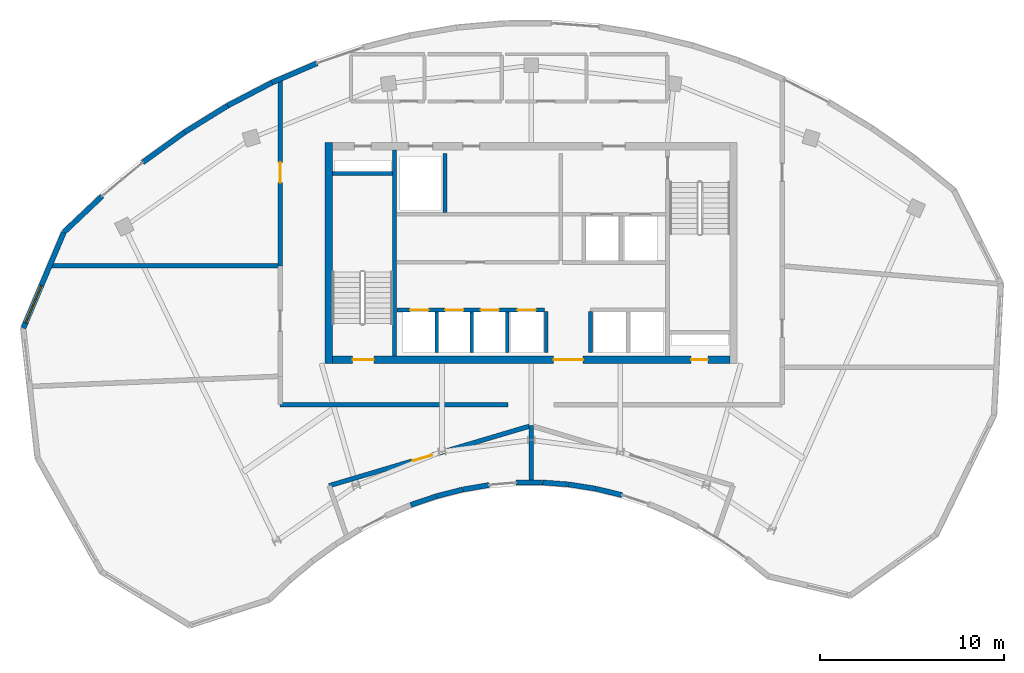
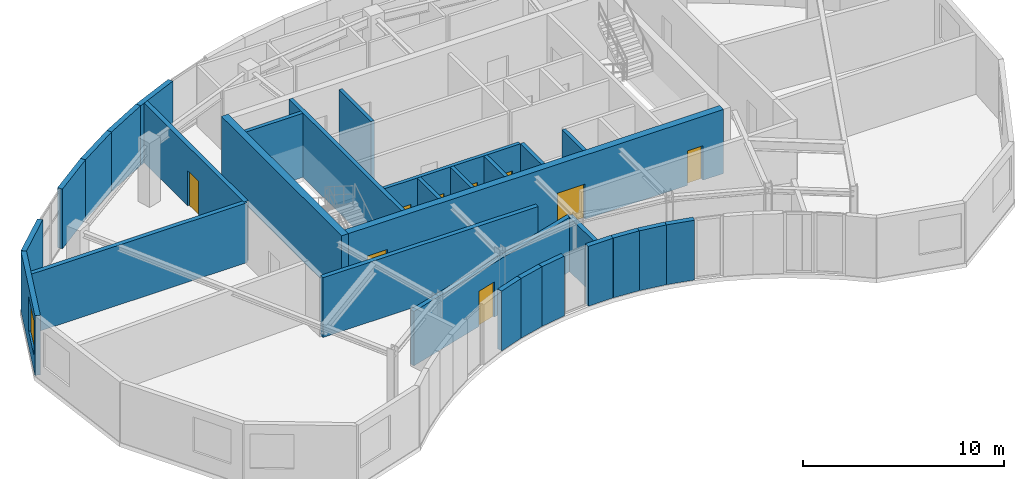
# One storey, part 5 of 9: 29 walls, 9 doors, 1 window, 10 openings.
"""IFC4 building model written with IfcOpenShell, lengths in metres."""

from ifc_helpers import new_model, si_unit, direction, frame, frame_2d, origin, place, context, subcontext, project, spatial, rectangle, extrude, source, transform, mapped, material, layer, layer_set, type_object, type_shapes, element, fill, save


model = new_model("IFC4")

# Units and contexts
model_context = context("Model", 3, precision=1e-05, world=origin(), true_north=direction((0.0, 1.0)))
body_context = subcontext(model_context, "Body", "Model", "MODEL_VIEW")
ifc_project = project(units=[si_unit("LENGTHUNIT", "METRE"), si_unit("AREAUNIT", "SQUARE_METRE"), si_unit("VOLUMEUNIT", "CUBIC_METRE"), si_unit("PLANEANGLEUNIT", "RADIAN"), si_unit("MASSUNIT", "GRAM", prefix="KILO")], contexts=[model_context])

# Site, building, storey
site_placement = place(None, origin())
site = spatial("IfcSite", under=ifc_project, at=site_placement, CompositionType="ELEMENT")
building_placement = place(site_placement, origin())
building = spatial("IfcBuilding", under=site, at=building_placement, Name="Breltana Convention Tower", CompositionType="ELEMENT")
storey_placement = place(building_placement, frame((0.0, 0.0, 291.300048828125)))
storey = spatial("IfcBuildingStorey", under=building, at=storey_placement, Name="L71", CompositionType="ELEMENT", Elevation=291.300048828125)

# Walls
ifc_material_1 = material(Name="Concrete C50/60", Category="concrete")
ifc_layer_1 = layer(ifc_material_1, 0.39990234375, Name="Concrete C50/60")
ifc_layer_set_1 = layer_set([ifc_layer_1], Name="Concrete C50/60")
wall_type_1 = type_object("IfcWallType", Name="SW-CORE-400", PredefinedType="SHEAR", material=ifc_layer_set_1)
shared_shape_1 = source(origin(), body_context, "Body", "SweptSolid", [
    extrude(rectangle(XDim=3.27001953125, YDim=0.219970703125, at=frame_2d((1.635009765625, 0.0))), origin(), (0.0, 0.0, 1.0), 3.89990234375),
])
wall_1_placement = place(storey_placement, frame((37.199951171875, 70.510009765625, 0.0), z_axis=(0.0, 0.0, 1.0), x_axis=(1.0, 0.0, 0.0)))
element("IfcWall", 1, at=wall_1_placement, inside=storey, type_object=wall_type_1, Name="L71 ST-1 Stairwell North Bearing Wall", PredefinedType="SHEAR", context=body_context, shape_type="MappedRepresentation", body=[
    mapped(shared_shape_1, transform((0.0, 0.0, 0.0), scale=1.0)),
])
shared_shape_2 = source(origin(), body_context, "Body", "SweptSolid", [
    extrude(rectangle(XDim=12.0, YDim=0.39990234375, at=frame_2d((6.0, 0.0))), origin(), (0.0, 0.0, 1.0), 3.89990234375),
])
wall_2_placement = place(storey_placement, frame((37.0, 60.199951171875, 0.0), z_axis=(0.0, 0.0, 1.0), x_axis=(0.0, 1.0, 0.0)))
element("IfcWall", 2, at=wall_2_placement, inside=storey, type_object=wall_type_1, Name="L71 West Core Shear Wall", PredefinedType="SHEAR", context=body_context, shape_type="MappedRepresentation", body=[
    mapped(shared_shape_2, transform((0.0, 0.0, 0.0), scale=1.0)),
])

# Wall, openings, doors
shared_shape_3 = source(origin(), body_context, "Body", "SweptSolid", [
    extrude(rectangle(XDim=21.60009765625, YDim=0.39990234375, at=frame_2d((10.800048828125, 0.0))), origin(), (0.0, 0.0, 1.0), 3.89990234375),
])
wall_3_placement = place(storey_placement, frame((37.199951171875, 60.39990234375, 0.0), z_axis=(0.0, 0.0, 1.0), x_axis=(1.0, 0.0, 0.0)))
wall_3 = element("IfcWall", 3, at=wall_3_placement, inside=storey, type_object=wall_type_1, Name="L71 South Core Shear Wall", PredefinedType="SHEAR", context=body_context, shape_type="MappedRepresentation", body=[
    mapped(shared_shape_3, transform((0.0, 0.0, 0.0), scale=1.0)),
])
opening_1_placement = place(wall_3_placement, frame((1.10009765625, 0.0, 0.0)))
opening_1 = element("IfcOpeningElement", 4, at=opening_1_placement, cuts=wall_3, Name="Opening D-11", PredefinedType="OPENING", context=body_context, shape_type="SweptSolid", body=[
    extrude(rectangle(XDim=1.14990234375, YDim=2.14990234375, at=frame_2d((0.574951171875, 1.074951171875))), frame((0.0, 0.2099609375, 0.0), z_axis=(0.0, -1.0, 0.0), x_axis=(1.0, 0.0, 0.0)), (0.0, 0.0, 1.0), 0.419921875),
])
opening_2_placement = place(wall_3_placement, frame((19.5, 0.0, 0.0)))
opening_2 = element("IfcOpeningElement", 5, at=opening_2_placement, cuts=wall_3, Name="Opening D-18", PredefinedType="OPENING", context=body_context, shape_type="SweptSolid", body=[
    extrude(rectangle(XDim=0.89990234375, YDim=2.10009765625, at=frame_2d((0.449951171875, 1.050048828125))), frame((0.0, 0.2099609375, 0.0), z_axis=(0.0, -1.0, 0.0), x_axis=(1.0, 0.0, 0.0)), (0.0, 0.0, 1.0), 0.419921875),
])
opening_3_placement = place(wall_3_placement, frame((12.02001953125, 0.0, 0.0)))
opening_3 = element("IfcOpeningElement", 6, at=opening_3_placement, cuts=wall_3, Name="Opening D-02", PredefinedType="OPENING", context=body_context, shape_type="SweptSolid", body=[
    extrude(rectangle(XDim=1.60009765625, YDim=2.14990234375, at=frame_2d((0.800048828125, 1.074951171875))), frame((0.0, 0.2099609375, 0.0), z_axis=(0.0, -1.0, 0.0), x_axis=(1.0, 0.0, 0.0)), (0.0, 0.0, 1.0), 0.419921875),
])
ifc_material_2 = material(Name="Steel Stair Exit Door", Category="steel")
door_type_1 = type_object("IfcDoorType", Name="DR-FD120-1150", OperationType="NOTDEFINED", PredefinedType="DOOR", material=ifc_material_2)
shared_shape_4 = source(origin(), body_context, "Body", "SweptSolid", [
    extrude(rectangle(XDim=1.14990234375, YDim=2.14990234375, at=frame_2d((0.574951171875, 1.074951171875))), frame((0.0, 0.02490234375, 0.0), z_axis=(0.0, -1.0, 0.0), x_axis=(1.0, 0.0, 0.0)), (0.0, 0.0, 1.0), 0.050048828125),
])
type_shapes(door_type_1, [shared_shape_4])
door_1_placement = place(opening_1_placement, origin())
door_1 = element("IfcDoor", 7, at=door_1_placement, inside=storey, type_object=door_type_1, Name="L71 interior door D-L71-ST1", OperationType="SINGLE_SWING_LEFT", OverallHeight=2.14990234375, OverallWidth=1.14990234375, PredefinedType="DOOR", context=body_context, shape_type="MappedRepresentation", body=[
    mapped(shared_shape_4, transform((0.0, 0.0, 0.0), scale=1.0)),
])
fill(opening_1, door_1)
ifc_material_3 = material(Name="Steel Riser Fire Door", Category="steel")
door_type_2 = type_object("IfcDoorType", Name="DR-FD60-900", OperationType="NOTDEFINED", PredefinedType="DOOR", material=ifc_material_3)
shared_shape_5 = source(origin(), body_context, "Body", "SweptSolid", [
    extrude(rectangle(XDim=0.89990234375, YDim=2.10009765625, at=frame_2d((0.449951171875, 1.050048828125))), frame((0.0, 0.02490234375, 0.0), z_axis=(0.0, -1.0, 0.0), x_axis=(1.0, 0.0, 0.0)), (0.0, 0.0, 1.0), 0.050048828125),
])
type_shapes(door_type_2, [shared_shape_5])
door_2_placement = place(opening_2_placement, origin())
door_2 = element("IfcDoor", 8, at=door_2_placement, inside=storey, type_object=door_type_2, Name="L71 Core Riser Access Door D-L71-RS2", OperationType="SINGLE_SWING_RIGHT", OverallHeight=2.10009765625, OverallWidth=0.89990234375, PredefinedType="DOOR", context=body_context, shape_type="MappedRepresentation", body=[
    mapped(shared_shape_5, transform((0.0, 0.0, 0.0), scale=1.0)),
])
fill(opening_2, door_2)
ifc_material_4 = material(Name="Steel Glazed Smoke-Control Door", Category="steel")
door_type_3 = type_object("IfcDoorType", Name="DR-DBL-FD90-1600", OperationType="DOUBLE_DOOR_SINGLE_SWING", PredefinedType="DOOR", material=ifc_material_4)
shared_shape_6 = source(origin(), body_context, "Body", "SweptSolid", [
    extrude(rectangle(XDim=1.60009765625, YDim=2.14990234375, at=frame_2d((0.800048828125, 1.074951171875))), frame((0.0, 0.02490234375, 0.0), z_axis=(0.0, -1.0, 0.0), x_axis=(1.0, 0.0, 0.0)), (0.0, 0.0, 1.0), 0.050048828125),
])
type_shapes(door_type_3, [shared_shape_6])
door_3_placement = place(opening_3_placement, origin())
door_3 = element("IfcDoor", 9, at=door_3_placement, inside=storey, type_object=door_type_3, Name="L71 interior door D-L71-LLB-S", OperationType="DOUBLE_DOOR_SINGLE_SWING", OverallHeight=2.14990234375, OverallWidth=1.60009765625, PredefinedType="DOOR", context=body_context, shape_type="MappedRepresentation", body=[
    mapped(shared_shape_6, transform((0.0, 0.0, 0.0), scale=1.0)),
])
fill(opening_3, door_3)

# Walls
shared_shape_7 = source(origin(), body_context, "Body", "SweptSolid", [
    extrude(rectangle(XDim=11.199951171875, YDim=0.219970703125, at=frame_2d((5.60009765625, 0.0))), origin(), (0.0, 0.0, 1.0), 3.89990234375),
])
wall_4_placement = place(storey_placement, frame((40.580078125, 60.60009765625, 0.0), z_axis=(0.0, 0.0, 1.0), x_axis=(0.0, 1.0, 0.0)))
element("IfcWall", 10, at=wall_4_placement, inside=storey, type_object=wall_type_1, Name="L71 Core West Stair Spine Wall", PredefinedType="SHEAR", context=body_context, shape_type="MappedRepresentation", body=[
    mapped(shared_shape_7, transform((0.0, 0.0, 0.0), scale=1.0)),
])
ifc_material_5 = material(Name="Limestone Buff Insulated Wall", Category="masonry")
ifc_layer_2 = layer(ifc_material_5, 0.280029296875, Name="Limestone Buff Insulated Wall")
ifc_layer_set_2 = layer_set([ifc_layer_2], Name="Limestone Buff Insulated Wall")
wall_type_2 = type_object("IfcWallType", Name="WL-EXT-NOSE-280", PredefinedType="SOLIDWALL", material=ifc_layer_set_2)
shared_shape_8 = source(origin(), body_context, "Body", "SweptSolid", [
    extrude(rectangle(XDim=1.446044921875, YDim=0.280029296875, at=frame_2d((0.72314453125, 0.0))), origin(), (0.0, 0.0, 1.0), 3.639892578125),
])
wall_5_placement = place(storey_placement, frame((51.509033203125, 53.38818359375, 0.0), z_axis=(0.0, 0.0, 1.0), x_axis=(-0.987650460941, 0.156673440642, 0.0)))
element("IfcWall", 11, at=wall_5_placement, inside=storey, type_object=wall_type_2, Name="L71 curved limestone nose wall E10", PredefinedType="SOLIDWALL", context=body_context, shape_type="MappedRepresentation", body=[
    mapped(shared_shape_8, transform((0.0, 0.0, 0.0), scale=1.0)),
])
shared_shape_9 = source(origin(), body_context, "Body", "SweptSolid", [
    extrude(rectangle(XDim=1.440185546875, YDim=0.280029296875, at=frame_2d((0.72021484375, 0.0))), origin(), (0.0, 0.0, 1.0), 3.639892578125),
])
wall_6_placement = place(storey_placement, frame((50.066162109375, 53.616455078125, 0.0), z_axis=(0.0, 0.0, 1.0), x_axis=(-0.997124860794, 0.075776064736, 0.0)))
element("IfcWall", 12, at=wall_6_placement, inside=storey, type_object=wall_type_2, Name="L71 curved limestone nose wall E11", PredefinedType="SOLIDWALL", context=body_context, shape_type="MappedRepresentation", body=[
    mapped(shared_shape_9, transform((0.0, 0.0, 0.0), scale=1.0)),
])
shared_shape_10 = source(origin(), body_context, "Body", "SweptSolid", [
    extrude(rectangle(XDim=1.4384765625, YDim=0.280029296875, at=frame_2d((0.71923828125, 0.0))), origin(), (0.0, 0.0, 1.0), 3.639892578125),
])
wall_7_placement = place(storey_placement, frame((48.615478515625, 53.726318359375, 0.0), z_axis=(0.0, 0.0, 1.0), x_axis=(-0.999982357135, -0.005940153174, 0.0)))
element("IfcWall", 13, at=wall_7_placement, inside=storey, type_object=wall_type_2, Name="L71 curved limestone nose wall E12", PredefinedType="SOLIDWALL", context=body_context, shape_type="MappedRepresentation", body=[
    mapped(shared_shape_10, transform((0.0, 0.0, 0.0), scale=1.0)),
])
shared_shape_11 = source(origin(), body_context, "Body", "SweptSolid", [
    extrude(rectangle(XDim=1.4580078125, YDim=0.280029296875, at=frame_2d((0.72900390625, 0.0))), origin(), (0.0, 0.0, 1.0), 3.639892578125),
])
wall_8_placement = place(storey_placement, frame((44.271484375, 53.343017578125, 0.0), z_axis=(0.0, 0.0, 1.0), x_axis=(-0.969109544438, -0.246630677083, 0.0)))
element("IfcWall", 14, at=wall_8_placement, inside=storey, type_object=wall_type_2, Name="L71 curved limestone nose wall E14", PredefinedType="SOLIDWALL", context=body_context, shape_type="MappedRepresentation", body=[
    mapped(shared_shape_11, transform((0.0, 0.0, 0.0), scale=1.0)),
])
shared_shape_12 = source(origin(), body_context, "Body", "SweptSolid", [
    extrude(rectangle(XDim=1.47265625, YDim=0.280029296875, at=frame_2d((0.736328125, 0.0))), origin(), (0.0, 0.0, 1.0), 3.639892578125),
])
wall_9_placement = place(storey_placement, frame((42.8447265625, 52.9794921875, 0.0), z_axis=(0.0, 0.0, 1.0), x_axis=(-0.946641296917, -0.322289086026, 0.0)))
element("IfcWall", 15, at=wall_9_placement, inside=storey, type_object=wall_type_2, Name="L71 curved limestone nose wall E15", PredefinedType="SOLIDWALL", context=body_context, shape_type="MappedRepresentation", body=[
    mapped(shared_shape_12, transform((0.0, 0.0, 0.0), scale=1.0)),
])

# Wall, opening, window
shared_shape_13 = source(origin(), body_context, "Body", "SweptSolid", [
    extrude(rectangle(XDim=5.655029296875, YDim=0.280029296875, at=frame_2d((2.82763671875, 0.0))), origin(), (0.0, 0.0, 1.0), 3.639892578125),
])
wall_10_placement = place(storey_placement, frame((20.40087890625, 62.11572265625, 0.0), z_axis=(0.0, 0.0, 1.0), x_axis=(0.389585063528, 0.920990487614, 0.0)))
wall_10 = element("IfcWall", 16, at=wall_10_placement, inside=storey, type_object=wall_type_2, Name="L71 curved limestone nose wall W6", PredefinedType="SOLIDWALL", context=body_context, shape_type="MappedRepresentation", body=[
    mapped(shared_shape_13, transform((0.0, 0.0, 0.0), scale=1.0)),
])
opening_4_placement = place(wall_10_placement, frame((0.313720703125, 0.0, 0.949951171875)))
opening_4 = element("IfcOpeningElement", 17, at=opening_4_placement, cuts=wall_10, Name="Opening W-03", PredefinedType="OPENING", context=body_context, shape_type="SweptSolid", body=[
    extrude(rectangle(XDim=2.199951171875, YDim=2.10009765625, at=frame_2d((1.10009765625, 1.050048828125))), frame((0.0, 0.14990234375, 0.0), z_axis=(0.0, -1.0, 0.0), x_axis=(1.0, 0.0, 0.0)), (0.0, 0.0, 1.0), 0.300048828125),
])
ifc_material_6 = material(Name="Glass Low-E Insulated Window", Category="glass")
window_type = type_object("IfcWindowType", Name="WN-NOSE-2200X2100", PartitioningType="TRIPLE_PANEL_VERTICAL", PredefinedType="WINDOW", material=ifc_material_6)
shared_shape_14 = source(origin(), body_context, "Body", "SweptSolid", [
    extrude(rectangle(XDim=2.199951171875, YDim=2.10009765625, at=frame_2d((1.10009765625, 1.050048828125))), frame((0.0, 0.030029296875, 0.0), z_axis=(0.0, -1.0, 0.0), x_axis=(1.0, 0.0, 0.0)), (0.0, 0.0, 1.0), 0.06005859375),
])
type_shapes(window_type, [shared_shape_14])
window_placement = place(opening_4_placement, origin())
window = element("IfcWindow", 18, at=window_placement, inside=storey, type_object=window_type, Name="L71 nose window W6", OverallHeight=2.10009765625, OverallWidth=2.199951171875, PartitioningType="TRIPLE_PANEL_VERTICAL", PredefinedType="WINDOW", context=body_context, shape_type="MappedRepresentation", body=[
    mapped(shared_shape_14, transform((0.0, 0.0, 0.0), scale=1.0)),
])
fill(opening_4, window)

# Walls
shared_shape_15 = source(origin(), body_context, "Body", "SweptSolid", [
    extrude(rectangle(XDim=2.87255859375, YDim=0.280029296875, at=frame_2d((1.436279296875, 0.0))), origin(), (0.0, 0.0, 1.0), 3.639892578125),
])
wall_11_placement = place(storey_placement, frame((22.60400390625, 67.323974609375, 0.0), z_axis=(0.0, 0.0, 1.0), x_axis=(0.72609560544, 0.687593754888, 0.0)))
element("IfcWall", 19, at=wall_11_placement, inside=storey, type_object=wall_type_2, Name="L71 curved limestone nose wall W7", PredefinedType="SOLIDWALL", context=body_context, shape_type="MappedRepresentation", body=[
    mapped(shared_shape_15, transform((0.0, 0.0, 0.0), scale=1.0)),
])
shared_shape_16 = source(origin(), body_context, "Body", "SweptSolid", [
    extrude(rectangle(XDim=2.8017578125, YDim=0.280029296875, at=frame_2d((1.40087890625, 0.0))), origin(), (0.0, 0.0, 1.0), 3.639892578125),
])
wall_12_placement = place(storey_placement, frame((26.88525390625, 71.11962890625, 0.0), z_axis=(0.0, 0.0, 1.0), x_axis=(0.811507896482, 0.584341453217, 0.0)))
element("IfcWall", 20, at=wall_12_placement, inside=storey, type_object=wall_type_2, Name="L71 curved limestone nose wall E20", PredefinedType="SOLIDWALL", context=body_context, shape_type="MappedRepresentation", body=[
    mapped(shared_shape_16, transform((0.0, 0.0, 0.0), scale=1.0)),
])
shared_shape_17 = source(origin(), body_context, "Body", "SweptSolid", [
    extrude(rectangle(XDim=2.71142578125, YDim=0.280029296875, at=frame_2d((1.355712890625, 0.0))), origin(), (0.0, 0.0, 1.0), 3.639892578125),
])
wall_13_placement = place(storey_placement, frame((31.50244140625, 74.20458984375, 0.0), z_axis=(0.0, 0.0, 1.0), x_axis=(0.886828760751, 0.462098202881, 0.0)))
element("IfcWall", 21, at=wall_13_placement, inside=storey, type_object=wall_type_2, Name="L71 curved limestone nose wall E22", PredefinedType="SOLIDWALL", context=body_context, shape_type="MappedRepresentation", body=[
    mapped(shared_shape_17, transform((0.0, 0.0, 0.0), scale=1.0)),
])
shared_shape_18 = source(origin(), body_context, "Body", "SweptSolid", [
    extrude(rectangle(XDim=2.67333984375, YDim=0.280029296875, at=frame_2d((1.336669921875, 0.0))), origin(), (0.0, 0.0, 1.0), 3.639892578125),
])
wall_14_placement = place(storey_placement, frame((33.906982421875, 75.45751953125, 0.0), z_axis=(0.0, 0.0, 1.0), x_axis=(0.919036345912, 0.394172798266, 0.0)))
element("IfcWall", 22, at=wall_14_placement, inside=storey, type_object=wall_type_2, Name="L71 curved limestone nose wall E23", PredefinedType="SOLIDWALL", context=body_context, shape_type="MappedRepresentation", body=[
    mapped(shared_shape_18, transform((0.0, 0.0, 0.0), scale=1.0)),
])
shared_shape_19 = source(origin(), body_context, "Body", "SweptSolid", [
    extrude(rectangle(XDim=1.45654296875, YDim=0.280029296875, at=frame_2d((0.728271484375, 0.0))), origin(), (0.0, 0.0, 1.0), 3.639892578125),
])
wall_15_placement = place(storey_placement, frame((52.938720703125, 53.042236328125, 0.0), z_axis=(0.0, 0.0, 1.0), x_axis=(-0.97187219902, 0.23550887196, 0.0)))
element("IfcWall", 23, at=wall_15_placement, inside=storey, type_object=wall_type_2, Name="L71 curved limestone nose wall E9", PredefinedType="SOLIDWALL", context=body_context, shape_type="MappedRepresentation", body=[
    mapped(shared_shape_19, transform((0.0, 0.0, 0.0), scale=1.0)),
])
shared_shape_20 = source(origin(), body_context, "Body", "SweptSolid", [
    extrude(rectangle(XDim=1.447265625, YDim=0.280029296875, at=frame_2d((0.7236328125, 0.0))), origin(), (0.0, 0.0, 1.0), 3.639892578125),
])
wall_16_placement = place(storey_placement, frame((45.712646484375, 53.589111328125, 0.0), z_axis=(0.0, 0.0, 1.0), x_axis=(-0.985785525921, -0.168008621461, 0.0)))
element("IfcWall", 24, at=wall_16_placement, inside=storey, type_object=wall_type_2, Name="L71 curved limestone nose wall E13", PredefinedType="SOLIDWALL", context=body_context, shape_type="MappedRepresentation", body=[
    mapped(shared_shape_20, transform((0.0, 0.0, 0.0), scale=1.0)),
])
shared_shape_21 = source(origin(), body_context, "Body", "SweptSolid", [
    extrude(rectangle(XDim=2.754638671875, YDim=0.280029296875, at=frame_2d((1.37744140625, 0.0))), origin(), (0.0, 0.0, 1.0), 3.639892578125),
])
wall_17_placement = place(storey_placement, frame((29.158935546875, 72.7568359375, 0.0), z_axis=(0.0, 0.0, 1.0), x_axis=(0.850750210743, 0.525570241661, 0.0)))
element("IfcWall", 25, at=wall_17_placement, inside=storey, type_object=wall_type_2, Name="L71 curved limestone nose wall E21", PredefinedType="SOLIDWALL", context=body_context, shape_type="MappedRepresentation", body=[
    mapped(shared_shape_21, transform((0.0, 0.0, 0.0), scale=1.0)),
])
ifc_material_7 = material(Name="Autoclaved Aerated Concrete Block", Category="concrete")
ifc_layer_3 = layer(ifc_material_7, 0.199951171875, Name="Autoclaved Aerated Concrete Block")
ifc_layer_set_3 = layer_set([ifc_layer_3], Name="Autoclaved Aerated Concrete Block")
wall_type_3 = type_object("IfcWallType", Name="WL-SHAFT-200", PredefinedType="SOLIDWALL", material=ifc_layer_set_3)
shared_shape_22 = source(origin(), body_context, "Body", "SweptSolid", [
    extrude(rectangle(XDim=2.239990234375, YDim=0.199951171875, at=frame_2d((1.1201171875, 0.0))), origin(), (0.0, 0.0, 1.0), 3.639892578125),
])
for number, where, z_axis, x_axis, name in (
    (26, (48.820068359375, 60.780029296875, 0.0), (0.0, 0.0, 1.0), (0.0, 1.0, 0.0), "L71 interior partition W-L71-PORT-W"),
    (27, (51.219970703125, 60.780029296875, 0.0), (0.0, 0.0, 1.0), (0.0, 1.0, 0.0), "L71 interior partition W-L71-PORT-E"),
):
    element("IfcWall", number, at=place(storey_placement, frame(where, z_axis=z_axis, x_axis=x_axis)), inside=storey, type_object=wall_type_3, Name=name, PredefinedType="SOLIDWALL", context=body_context, shape_type="MappedRepresentation", body=[
        mapped(shared_shape_22, transform((0.0, 0.0, 0.0), scale=1.0)),
    ])
shared_shape_23 = source(origin(), body_context, "Body", "SweptSolid", [
    extrude(rectangle(XDim=3.2001953125, YDim=0.199951171875, at=frame_2d((1.60009765625, 0.0))), origin(), (0.0, 0.0, 1.0), 3.639892578125),
])
wall_18_placement = place(storey_placement, frame((43.320068359375, 68.39990234375, 0.0), z_axis=(0.0, 0.0, 1.0), x_axis=(0.0, 1.0, 0.0)))
element("IfcWall", 28, at=wall_18_placement, inside=storey, type_object=wall_type_3, Name="L71 interior partition W-L71-SV-E", PredefinedType="SOLIDWALL", context=body_context, shape_type="MappedRepresentation", body=[
    mapped(shared_shape_23, transform((0.0, 0.0, 0.0), scale=1.0)),
])

# Wall, openings, doors
shared_shape_24 = source(origin(), body_context, "Body", "SweptSolid", [
    extrude(rectangle(XDim=8.02001953125, YDim=0.199951171875, at=frame_2d((4.010009765625, 0.0))), origin(), (0.0, 0.0, 1.0), 3.639892578125),
])
wall_19_placement = place(storey_placement, frame((40.699951171875, 63.10009765625, 0.0), z_axis=(0.0, 0.0, 1.0), x_axis=(1.0, 0.0, 0.0)))
wall_19 = element("IfcWall", 29, at=wall_19_placement, inside=storey, type_object=wall_type_3, Name="L71 interior partition W-L71-SH-S-FRONT", PredefinedType="SOLIDWALL", context=body_context, shape_type="MappedRepresentation", body=[
    mapped(shared_shape_24, transform((0.0, 0.0, 0.0), scale=1.0)),
])
opening_5_placement = place(wall_19_placement, frame((0.719970703125, 0.0, 0.0)))
opening_5 = element("IfcOpeningElement", 30, at=opening_5_placement, cuts=wall_19, Name="Opening LD-04", PredefinedType="OPENING", context=body_context, shape_type="SweptSolid", body=[
    extrude(rectangle(XDim=1.0, YDim=2.14990234375, at=frame_2d((0.5, 1.074951171875))), frame((0.0, 0.10986328125, 0.0), z_axis=(0.0, -1.0, 0.0), x_axis=(1.0, 0.0, 0.0)), (0.0, 0.0, 1.0), 0.219970703125),
])
opening_6_placement = place(wall_19_placement, frame((2.6201171875, 0.0, 0.0)))
opening_6 = element("IfcOpeningElement", 31, at=opening_6_placement, cuts=wall_19, Name="Opening LD-04", PredefinedType="OPENING", context=body_context, shape_type="SweptSolid", body=[
    extrude(rectangle(XDim=1.0, YDim=2.14990234375, at=frame_2d((0.5, 1.074951171875))), frame((0.0, 0.10986328125, 0.0), z_axis=(0.0, -1.0, 0.0), x_axis=(1.0, 0.0, 0.0)), (0.0, 0.0, 1.0), 0.219970703125),
])
opening_7_placement = place(wall_19_placement, frame((4.550048828125, 0.0, 0.0)))
opening_7 = element("IfcOpeningElement", 32, at=opening_7_placement, cuts=wall_19, Name="Opening LD-04", PredefinedType="OPENING", context=body_context, shape_type="SweptSolid", body=[
    extrude(rectangle(XDim=1.0, YDim=2.14990234375, at=frame_2d((0.5, 1.074951171875))), frame((0.0, 0.10986328125, 0.0), z_axis=(0.0, -1.0, 0.0), x_axis=(1.0, 0.0, 0.0)), (0.0, 0.0, 1.0), 0.219970703125),
])
opening_8_placement = place(wall_19_placement, frame((6.550048828125, 0.0, 0.0)))
opening_8 = element("IfcOpeningElement", 33, at=opening_8_placement, cuts=wall_19, Name="Opening LD-04", PredefinedType="OPENING", context=body_context, shape_type="SweptSolid", body=[
    extrude(rectangle(XDim=1.0, YDim=2.14990234375, at=frame_2d((0.5, 1.074951171875))), frame((0.0, 0.10986328125, 0.0), z_axis=(0.0, -1.0, 0.0), x_axis=(1.0, 0.0, 0.0)), (0.0, 0.0, 1.0), 0.219970703125),
])
ifc_material_8 = material(Name="Stainless Steel Brushed", Category="steel")
door_type_4 = type_object("IfcDoorType", Name="DR-LD-PAX-1000", OperationType="DOUBLE_DOOR_SLIDING", PredefinedType="DOOR", material=ifc_material_8)
shared_shape_25 = source(origin(), body_context, "Body", "SweptSolid", [
    extrude(rectangle(XDim=1.0, YDim=2.14990234375, at=frame_2d((0.5, 1.074951171875))), frame((0.0, 0.02490234375, 0.0), z_axis=(0.0, -1.0, 0.0), x_axis=(1.0, 0.0, 0.0)), (0.0, 0.0, 1.0), 0.050048828125),
])
type_shapes(door_type_4, [shared_shape_25])
door_4_placement = place(opening_5_placement, origin())
door_4 = element("IfcDoor", 34, at=door_4_placement, inside=storey, type_object=door_type_4, Name="L71 Lift Landing Door D-L71-LD-S1", OperationType="DOUBLE_DOOR_SLIDING", OverallHeight=2.14990234375, OverallWidth=1.0, PredefinedType="DOOR", context=body_context, shape_type="MappedRepresentation", body=[
    mapped(shared_shape_25, transform((0.0, 0.0, 0.0), scale=1.0)),
])
fill(opening_5, door_4)
door_5_placement = place(opening_6_placement, origin())
door_5 = element("IfcDoor", 35, at=door_5_placement, inside=storey, type_object=door_type_4, Name="L71 Lift Landing Door D-L71-LD-S2", OperationType="DOUBLE_DOOR_SLIDING", OverallHeight=2.14990234375, OverallWidth=1.0, PredefinedType="DOOR", context=body_context, shape_type="MappedRepresentation", body=[
    mapped(shared_shape_25, transform((0.0, 0.0, 0.0), scale=1.0)),
])
fill(opening_6, door_5)
door_6_placement = place(opening_7_placement, origin())
door_6 = element("IfcDoor", 36, at=door_6_placement, inside=storey, type_object=door_type_4, Name="L71 Lift Landing Door D-L71-LD-S3", OperationType="DOUBLE_DOOR_SLIDING", OverallHeight=2.14990234375, OverallWidth=1.0, PredefinedType="DOOR", context=body_context, shape_type="MappedRepresentation", body=[
    mapped(shared_shape_25, transform((0.0, 0.0, 0.0), scale=1.0)),
])
fill(opening_7, door_6)
door_7_placement = place(opening_8_placement, origin())
door_7 = element("IfcDoor", 37, at=door_7_placement, inside=storey, type_object=door_type_4, Name="L71 Lift Landing Door D-L71-LD-S4", OperationType="DOUBLE_DOOR_SLIDING", OverallHeight=2.14990234375, OverallWidth=1.0, PredefinedType="DOOR", context=body_context, shape_type="MappedRepresentation", body=[
    mapped(shared_shape_25, transform((0.0, 0.0, 0.0), scale=1.0)),
])
fill(opening_8, door_7)

# Walls
shared_shape_26 = source(origin(), body_context, "Body", "SweptSolid", [
    extrude(rectangle(XDim=2.199951171875, YDim=0.199951171875, at=frame_2d((1.10009765625, 0.0))), origin(), (0.0, 0.0, 1.0), 3.639892578125),
])
for number, where, z_axis, x_axis, name in (
    (38, (42.8701171875, 60.800048828125, 0.0), (0.0, 0.0, 1.0), (0.0, 1.0, 0.0), "L71 interior partition W-L71-SH-S-DIV1"),
    (39, (44.77001953125, 60.800048828125, 0.0), (0.0, 0.0, 1.0), (0.0, 1.0, 0.0), "L71 interior partition W-L71-SH-S-DIV2"),
    (40, (46.699951171875, 60.800048828125, 0.0), (0.0, 0.0, 1.0), (0.0, 1.0, 0.0), "L71 interior partition W-L71-SH-S-DIV3"),
):
    element("IfcWall", number, at=place(storey_placement, frame(where, z_axis=z_axis, x_axis=x_axis)), inside=storey, type_object=wall_type_3, Name=name, PredefinedType="SOLIDWALL", context=body_context, shape_type="MappedRepresentation", body=[
        mapped(shared_shape_26, transform((0.0, 0.0, 0.0), scale=1.0)),
    ])

# Wall, opening, door
ifc_material_9 = material(Name="Gypsum Acoustic Double Stud Wall")
ifc_layer_4 = layer(ifc_material_9, 0.25, Name="Gypsum Acoustic Double Stud Wall")
ifc_layer_set_4 = layer_set([ifc_layer_4], Name="Gypsum Acoustic Double Stud Wall")
wall_type_4 = type_object("IfcWallType", Name="WL-ACOUSTIC-250", PredefinedType="PARTITIONING", material=ifc_layer_set_4)
shared_shape_27 = source(origin(), body_context, "Body", "SweptSolid", [
    extrude(rectangle(XDim=11.453857421875, YDim=0.25, at=frame_2d((5.72705078125, 0.0))), origin(), (0.0, 0.0, 1.0), 3.31396484375),
])
wall_20_placement = place(storey_placement, frame((37.0205078125, 53.551513671875, 0.0), z_axis=(0.0, 0.0, 1.0), x_axis=(0.958594874645, 0.284773359541, 0.0)))
wall_20 = element("IfcWall", 41, at=wall_20_placement, inside=storey, type_object=wall_type_4, Name="L71 interior partition W-L71-ES1-COR", PredefinedType="PARTITIONING", context=body_context, shape_type="MappedRepresentation", body=[
    mapped(shared_shape_27, transform((0.0, 0.0, 0.0), scale=1.0)),
])
opening_9_placement = place(wall_20_placement, frame((4.726806640625, 0.0, 0.0)))
opening_9 = element("IfcOpeningElement", 42, at=opening_9_placement, cuts=wall_20, Name="Opening D-12", PredefinedType="OPENING", context=body_context, shape_type="SweptSolid", body=[
    extrude(rectangle(XDim=1.10009765625, YDim=2.14990234375, at=frame_2d((0.550048828125, 1.074951171875))), frame((0.0, 0.135009765625, 0.0), z_axis=(0.0, -1.0, 0.0), x_axis=(1.0, 0.0, 0.0)), (0.0, 0.0, 1.0), 0.27001953125),
])
ifc_material_10 = material(Name="Timber Oak Acoustic Door", Category="wood")
door_type_5 = type_object("IfcDoorType", Name="DR-INT-1100", OperationType="NOTDEFINED", PredefinedType="DOOR", material=ifc_material_10)
shared_shape_28 = source(origin(), body_context, "Body", "SweptSolid", [
    extrude(rectangle(XDim=1.10009765625, YDim=2.14990234375, at=frame_2d((0.550048828125, 1.074951171875))), frame((0.0, 0.02490234375, 0.0), z_axis=(0.0, -1.0, 0.0), x_axis=(1.0, 0.0, 0.0)), (0.0, 0.0, 1.0), 0.050048828125),
])
type_shapes(door_type_5, [shared_shape_28])
door_8_placement = place(opening_9_placement, origin())
door_8 = element("IfcDoor", 43, at=door_8_placement, inside=storey, type_object=door_type_5, Name="L71 interior door D-L71-ES1", OperationType="SINGLE_SWING_LEFT", OverallHeight=2.14990234375, OverallWidth=1.10009765625, PredefinedType="DOOR", context=body_context, shape_type="MappedRepresentation", body=[
    mapped(shared_shape_28, transform((0.0, 0.0, 0.0), scale=1.0)),
])
fill(opening_9, door_8)

# Walls
shared_shape_29 = source(origin(), body_context, "Body", "SweptSolid", [
    extrude(rectangle(XDim=3.08056640625, YDim=0.25, at=frame_2d((1.540283203125, 0.0))), origin(), (0.0, 0.0, 1.0), 3.31396484375),
])
wall_21_placement = place(storey_placement, frame((48.0, 53.732666015625, 0.0), z_axis=(0.0, 0.0, 1.0), x_axis=(0.0, 1.0, 0.0)))
element("IfcWall", 44, at=wall_21_placement, inside=storey, type_object=wall_type_4, Name="L71 interior partition W-L71-ES1-RB", PredefinedType="PARTITIONING", context=body_context, shape_type="MappedRepresentation", body=[
    mapped(shared_shape_29, transform((0.0, 0.0, 0.0), scale=1.0)),
])
shared_shape_30 = source(origin(), body_context, "Body", "SweptSolid", [
    extrude(rectangle(XDim=12.389892578125, YDim=0.25, at=frame_2d((6.19482421875, 0.0))), origin(), (0.0, 0.0, 1.0), 3.639892578125),
])
wall_22_placement = place(storey_placement, frame((34.360107421875, 57.9599609375, 0.0), z_axis=(0.0, 0.0, 1.0), x_axis=(1.0, 0.0, 0.0)))
element("IfcWall", 45, at=wall_22_placement, inside=storey, type_object=wall_type_4, Name="L71 interior partition W-L71-Z45-CSW", PredefinedType="PARTITIONING", context=body_context, shape_type="MappedRepresentation", body=[
    mapped(shared_shape_30, transform((0.0, 0.0, 0.0), scale=1.0)),
])
shared_shape_31 = source(origin(), body_context, "Body", "SweptSolid", [
    extrude(rectangle(XDim=12.5166015625, YDim=0.25, at=frame_2d((6.25830078125, 0.0))), origin(), (0.0, 0.0, 1.0), 3.639892578125),
])
wall_23_placement = place(storey_placement, frame((21.843505859375, 65.5, 0.0), z_axis=(0.0, 0.0, 1.0), x_axis=(1.0, 0.0, 0.0)))
element("IfcWall", 46, at=wall_23_placement, inside=storey, type_object=wall_type_4, Name="L71 interior partition W-L71-EXW2-N", PredefinedType="PARTITIONING", context=body_context, shape_type="MappedRepresentation", body=[
    mapped(shared_shape_31, transform((0.0, 0.0, 0.0), scale=1.0)),
])

# Wall, opening, door
shared_shape_32 = source(origin(), body_context, "Body", "SweptSolid", [
    extrude(rectangle(XDim=10.140869140625, YDim=0.25, at=frame_2d((5.0703125, 0.0))), origin(), (0.0, 0.0, 1.0), 3.639892578125),
])
wall_24_placement = place(storey_placement, frame((34.360107421875, 65.5, 0.0), z_axis=(0.0, 0.0, 1.0), x_axis=(0.0, 1.0, 0.0)))
wall_24 = element("IfcWall", 47, at=wall_24_placement, inside=storey, type_object=wall_type_4, Name="L71 interior partition W-L71-EXW3-ENT", PredefinedType="PARTITIONING", context=body_context, shape_type="MappedRepresentation", body=[
    mapped(shared_shape_32, transform((0.0, 0.0, 0.0), scale=1.0)),
])
opening_10_placement = place(wall_24_placement, frame((4.5205078125, 0.0, 0.0)))
opening_10 = element("IfcOpeningElement", 48, at=opening_10_placement, cuts=wall_24, Name="Opening D-12", PredefinedType="OPENING", context=body_context, shape_type="SweptSolid", body=[
    extrude(rectangle(XDim=1.10009765625, YDim=2.14990234375, at=frame_2d((0.550048828125, 1.074951171875))), frame((0.0, 0.135009765625, 0.0), z_axis=(0.0, -1.0, 0.0), x_axis=(1.0, 0.0, 0.0)), (0.0, 0.0, 1.0), 0.27001953125),
])
door_9_placement = place(opening_10_placement, origin())
door_9 = element("IfcDoor", 49, at=door_9_placement, inside=storey, type_object=door_type_5, Name="L71 interior door D-L71-EXW3", OperationType="SINGLE_SWING_LEFT", OverallHeight=2.14990234375, OverallWidth=1.10009765625, PredefinedType="DOOR", context=body_context, shape_type="MappedRepresentation", body=[
    mapped(shared_shape_28, transform((0.0, 0.0, 0.0), scale=1.0)),
])
fill(opening_10, door_9)

save(model, "model.ifc")
